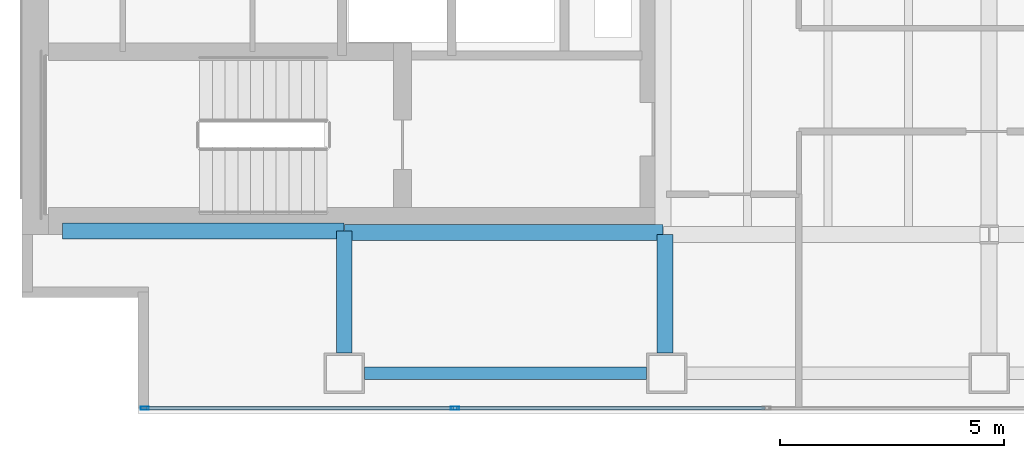
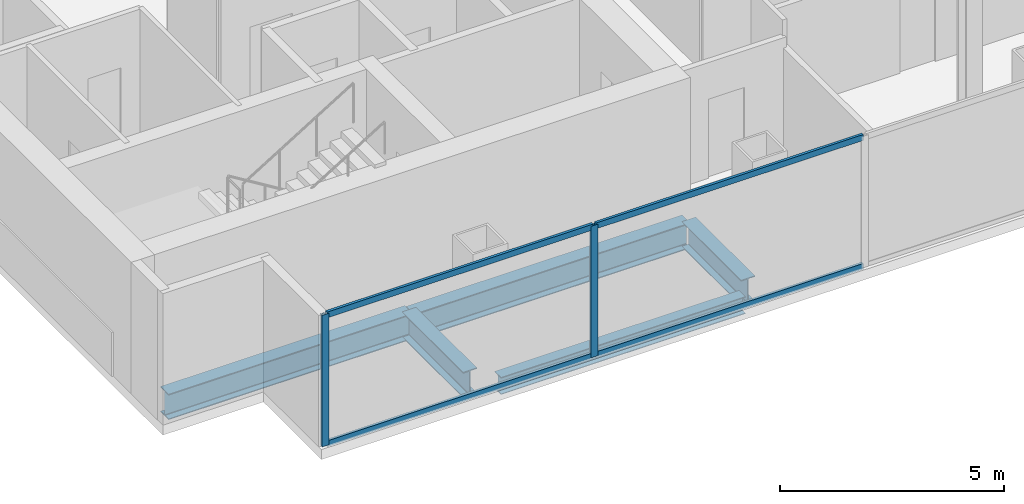
# One storey, part 2 of 23: 6 members, 5 beams, 1 element without a shape of its own.
"""IFC4 building model written with IfcOpenShell, lengths in metres."""

from ifc_helpers import new_model, si_unit, direction, frame, origin, origin_2d, place, context, subcontext, project, spatial, hollow_rectangle, i_section, extrude, material, material_profile, profile_set, type_object, element, aggregate, save


model = new_model("IFC4")

# Units and contexts
model_context = context("Model", 3, precision=1e-05, world=origin(), true_north=direction((0.0, 1.0)))
body_context = subcontext(model_context, "Body", "Model", "MODEL_VIEW")
ifc_project = project(units=[si_unit("LENGTHUNIT", "METRE"), si_unit("AREAUNIT", "SQUARE_METRE"), si_unit("VOLUMEUNIT", "CUBIC_METRE"), si_unit("PLANEANGLEUNIT", "RADIAN"), si_unit("MASSUNIT", "GRAM", prefix="KILO")], contexts=[model_context])

# Site, building, storey
site_placement = place(None, origin())
site = spatial("IfcSite", under=ifc_project, at=site_placement, CompositionType="ELEMENT")
building_placement = place(site_placement, origin())
building = spatial("IfcBuilding", under=site, at=building_placement, Name="Cobrela Telecom Tower", CompositionType="ELEMENT")
storey_placement = place(building_placement, frame((0.0, 0.0, 140.699951171875)))
storey = spatial("IfcBuildingStorey", under=building, at=storey_placement, Name="L35", CompositionType="ELEMENT", Elevation=140.699951171875)

# Beams
ifc_material_1 = material(Name="Steel ASTM A992 Grade 50", Category="steel")
ifc_material_profile_1 = material_profile(ifc_material_1, i_section(OverallWidth=0.35595703125, OverallDepth=0.696044921875, WebThickness=0.015380859375, FlangeThickness=0.024658203125, FilletRadius=0.01806640625, at=origin_2d()), Name="W27X146")
ifc_profile_set_1 = profile_set([ifc_material_profile_1], Name="Steel ASTM A992 Grade 50")
beam_type_1 = type_object("IfcBeamType", Name="BM-GIRD-05", PredefinedType="USERDEFINED", material=ifc_profile_set_1)
beam_1_placement = place(storey_placement, frame((0.905029296875, 7.280029296875, -0.617919921875), z_axis=(1.0, 0.0, 0.0), x_axis=(0.0, 1.0, 0.0)))
element("IfcBeam", 1, at=beam_1_placement, inside=storey, type_object=beam_type_1, Name="L35 Primary Girder X06", ObjectType="GIRDER", PredefinedType="USERDEFINED", context=body_context, shape_type="SweptSolid", body=[
    extrude(i_section(OverallWidth=0.35595703125, OverallDepth=0.696044921875, WebThickness=0.015380859375, FlangeThickness=0.024658203125, FilletRadius=0.01806640625, at=origin_2d()), origin(), (0.0, 0.0, 1.0), 6.2900390625),
])
beam_2_placement = place(storey_placement, frame((7.205078125, 7.239990234375, -0.617919921875), z_axis=(1.0, 0.0, 0.0), x_axis=(0.0, 1.0, 0.0)))
element("IfcBeam", 2, at=beam_2_placement, inside=storey, type_object=beam_type_1, Name="L35 Primary Girder X07", ObjectType="GIRDER", PredefinedType="USERDEFINED", context=body_context, shape_type="SweptSolid", body=[
    extrude(i_section(OverallWidth=0.35595703125, OverallDepth=0.696044921875, WebThickness=0.015380859375, FlangeThickness=0.024658203125, FilletRadius=0.01806640625, at=origin_2d()), origin(), (0.0, 0.0, 1.0), 7.10986328125),
])
beam_3_placement = place(storey_placement, frame((7.199951171875, 4.554931640625, -0.617919921875), z_axis=(0.0, 1.0, 0.0), x_axis=(-1.0, 0.0, 0.0)))
element("IfcBeam", 3, at=beam_3_placement, inside=storey, type_object=beam_type_1, Name="L35 Primary Girder Y31", ObjectType="GIRDER", PredefinedType="USERDEFINED", context=body_context, shape_type="SweptSolid", body=[
    extrude(i_section(OverallWidth=0.35595703125, OverallDepth=0.696044921875, WebThickness=0.015380859375, FlangeThickness=0.024658203125, FilletRadius=0.01806640625, at=origin_2d()), origin(), (0.0, 0.0, 1.0), 2.719970703125),
])
beam_4_placement = place(storey_placement, frame((14.360107421875, 4.554931640625, -0.617919921875), z_axis=(0.0, 1.0, 0.0), x_axis=(-1.0, 0.0, 0.0)))
element("IfcBeam", 4, at=beam_4_placement, inside=storey, type_object=beam_type_1, Name="L35 Primary Girder Y33", ObjectType="GIRDER", PredefinedType="USERDEFINED", context=body_context, shape_type="SweptSolid", body=[
    extrude(i_section(OverallWidth=0.35595703125, OverallDepth=0.696044921875, WebThickness=0.015380859375, FlangeThickness=0.024658203125, FilletRadius=0.01806640625, at=origin_2d()), origin(), (0.0, 0.0, 1.0), 2.64013671875),
])
ifc_material_profile_2 = material_profile(ifc_material_1, i_section(OverallWidth=0.281982421875, OverallDepth=0.467041015625, WebThickness=0.01220703125, FlangeThickness=0.01953125, FilletRadius=0.012939453125, at=origin_2d()), Name="W18X86")
ifc_profile_set_2 = profile_set([ifc_material_profile_2], Name="Steel ASTM A992 Grade 50")
beam_type_2 = type_object("IfcBeamType", Name="BM-SPAND-04", PredefinedType="SPANDREL", material=ifc_profile_set_2)
beam_5_placement = place(storey_placement, frame((7.655029296875, 4.10009765625, -0.50341796875), z_axis=(1.0, 0.0, 0.0), x_axis=(0.0, 1.0, 0.0)))
element("IfcBeam", 5, at=beam_5_placement, inside=storey, type_object=beam_type_2, Name="L35 Perimeter Spandrel X01", PredefinedType="SPANDREL", context=body_context, shape_type="SweptSolid", body=[
    extrude(i_section(OverallWidth=0.281982421875, OverallDepth=0.467041015625, WebThickness=0.01220703125, FlangeThickness=0.01953125, FilletRadius=0.012939453125, at=origin_2d()), origin(), (0.0, 0.0, 1.0), 6.2900390625),
])

# Curtain wall, members
ifc_material_2 = material(Name="Anodized Bronze Aluminium 6063-T6", Category="aluminium")
curtain_wall_type = type_object("IfcCurtainWallType", Name="CW-SYS-TEL", PredefinedType="USERDEFINED", material=ifc_material_2)
curtain_wall_placement = place(storey_placement, origin())
curtain_wall = element("IfcCurtainWall", 6, at=curtain_wall_placement, inside=storey, type_object=curtain_wall_type, Name="L35 Unitised Bronze Curtain Wall 17", ObjectType="UNITISED CURTAIN WALL", PredefinedType="USERDEFINED")
ifc_material_profile_3 = material_profile(ifc_material_2, hollow_rectangle(XDim=0.074951171875, YDim=0.179931640625, WallThickness=0.00390625, at=origin_2d()), Name="ALU 75x180x4")
ifc_profile_set_3 = profile_set([ifc_material_profile_3], Name="Anodized Bronze Aluminium 6063-T6")
member_type_1 = type_object("IfcMemberType", Name="CW-SYS-TEL-MUL", PredefinedType="MULLION", material=ifc_profile_set_3)
member_1_placement = place(storey_placement, frame((9.67333984375, 3.320068359375, 0.0), z_axis=(0.0, 0.0, 1.0), x_axis=(0.0, -1.0, 0.0)))
member_1 = element("IfcMember", 7, at=member_1_placement, type_object=member_type_1, Name="CW-TEL mullion 6", PredefinedType="MULLION", context=body_context, shape_type="SweptSolid", body=[
    extrude(hollow_rectangle(XDim=0.074951171875, YDim=0.179931640625, WallThickness=0.00390625, at=origin_2d()), origin(), (0.0, 0.0, 1.0), 3.580078125),
])
member_2_placement = place(storey_placement, frame((2.74755859375, 3.320068359375, 0.0), z_axis=(0.0, 0.0, 1.0), x_axis=(0.0, -1.0, 0.0)))
member_2 = element("IfcMember", 8, at=member_2_placement, type_object=member_type_1, Name="CW-TEL mullion 7", PredefinedType="MULLION", context=body_context, shape_type="SweptSolid", body=[
    extrude(hollow_rectangle(XDim=0.074951171875, YDim=0.179931640625, WallThickness=0.00390625, at=origin_2d()), origin(), (0.0, 0.0, 1.0), 3.580078125),
])
ifc_material_profile_4 = material_profile(ifc_material_2, hollow_rectangle(XDim=0.070068359375, YDim=0.159912109375, WallThickness=0.00390625, at=origin_2d()), Name="ALU 70x160x4")
ifc_profile_set_4 = profile_set([ifc_material_profile_4], Name="Anodized Bronze Aluminium 6063-T6")
member_type_2 = type_object("IfcMemberType", Name="CW-SYS-TEL-TRN", PredefinedType="USERDEFINED", material=ifc_profile_set_4)
member_3_placement = place(storey_placement, frame((16.59912109375, 3.320068359375, 0.03515625), z_axis=(-1.0, 0.0, 0.0), x_axis=(0.0, -1.0, 0.0)))
member_3 = element("IfcMember", 9, at=member_3_placement, type_object=member_type_2, Name="CW-TEL transom 5.1", ObjectType="TRANSOM", PredefinedType="USERDEFINED", context=body_context, shape_type="SweptSolid", body=[
    extrude(hollow_rectangle(XDim=0.070068359375, YDim=0.159912109375, WallThickness=0.00390625, at=origin_2d()), origin(), (0.0, 0.0, 1.0), 6.88818359375),
])
member_4_placement = place(storey_placement, frame((16.59912109375, 3.320068359375, 3.545166015625), z_axis=(-1.0, 0.0, 0.0), x_axis=(0.0, -1.0, 0.0)))
member_4 = element("IfcMember", 10, at=member_4_placement, type_object=member_type_2, Name="CW-TEL transom 5.2", ObjectType="TRANSOM", PredefinedType="USERDEFINED", context=body_context, shape_type="SweptSolid", body=[
    extrude(hollow_rectangle(XDim=0.070068359375, YDim=0.159912109375, WallThickness=0.00390625, at=origin_2d()), origin(), (0.0, 0.0, 1.0), 6.88818359375),
])
member_5_placement = place(storey_placement, frame((9.6357421875, 3.320068359375, 0.03515625), z_axis=(-1.0, 0.0, 0.0), x_axis=(0.0, -1.0, 0.0)))
member_5 = element("IfcMember", 11, at=member_5_placement, type_object=member_type_2, Name="CW-TEL transom 6.1", ObjectType="TRANSOM", PredefinedType="USERDEFINED", context=body_context, shape_type="SweptSolid", body=[
    extrude(hollow_rectangle(XDim=0.070068359375, YDim=0.159912109375, WallThickness=0.00390625, at=origin_2d()), origin(), (0.0, 0.0, 1.0), 6.850830078125),
])
member_6_placement = place(storey_placement, frame((9.6357421875, 3.320068359375, 3.545166015625), z_axis=(-1.0, 0.0, 0.0), x_axis=(0.0, -1.0, 0.0)))
member_6 = element("IfcMember", 12, at=member_6_placement, type_object=member_type_2, Name="CW-TEL transom 6.2", ObjectType="TRANSOM", PredefinedType="USERDEFINED", context=body_context, shape_type="SweptSolid", body=[
    extrude(hollow_rectangle(XDim=0.070068359375, YDim=0.159912109375, WallThickness=0.00390625, at=origin_2d()), origin(), (0.0, 0.0, 1.0), 6.850830078125),
])
aggregate(curtain_wall, [member_1, member_2, member_3, member_4, member_5, member_6])

save(model, "model.ifc")
